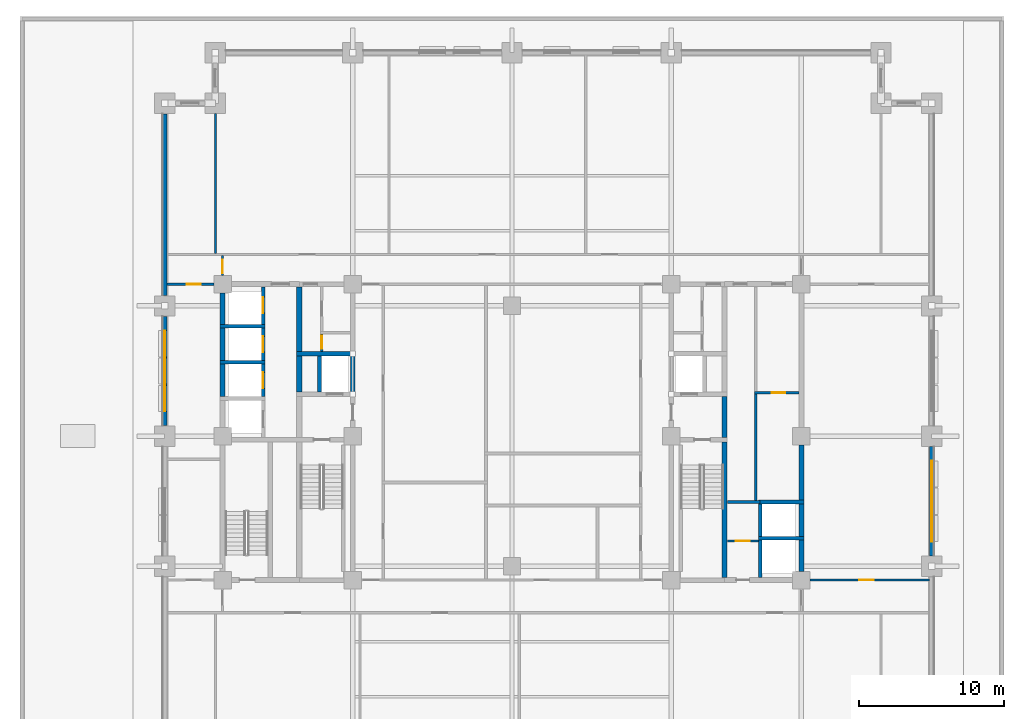
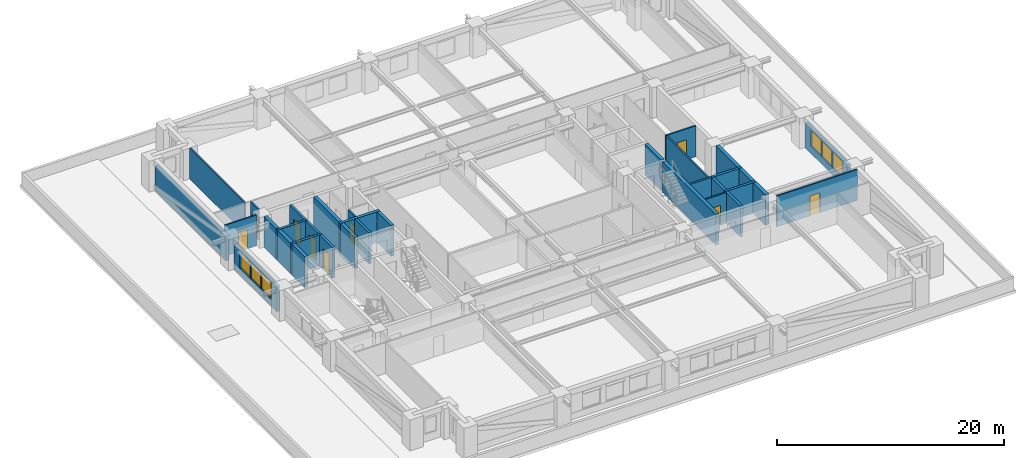
# One storey, part 5 of 12: 34 walls, 9 doors, 6 windows, 15 openings.
"""IFC4 building model written with IfcOpenShell, lengths in metres."""

import ifcopenshell
import ifcopenshell.guid

model = None  # the IFC model being written
_history = None  # IfcOwnerHistory: only IFC2X3 demands one
_inside = {}  # id of a spatial element -> (the spatial element, [elements in it])
_under = {}  # id of a project, library or spatial element -> (it, [spatial elements below it])
_declared = {}  # id of a project -> (the project, [libraries it declares])
_typed = {}  # id of a type object -> (the type object, [elements of that type])
_made_of = {}  # id of a material, layer set ... -> (it, [elements and type objects made of it])


def new_model(schema):
    """Start an empty IFC model of exactly this schema.

    Asked for "IFC4X3", IfcOpenShell would pick the latest addendum, in which some entities
    have other attributes; the version numbers below select the first issue.
    IFC2X3 requires an IfcOwnerHistory on every rooted entity: one is made here for all.
    """
    global model, _history
    if schema == "IFC4X3":
        model = ifcopenshell.file(schema_version=(4, 3, 0, 0))
    else:
        model = ifcopenshell.file(schema=schema)
    _inside.clear()
    _under.clear()
    _declared.clear()
    _typed.clear()
    _made_of.clear()
    _history = None
    if model.schema == "IFC2X3":
        org = make("IfcOrganization", Name="unknown")
        user = make(
            "IfcPersonAndOrganization",
            ThePerson=make("IfcPerson", FamilyName="unknown"),
            TheOrganization=org,
        )
        app = make(
            "IfcApplication",
            ApplicationDeveloper=org,
            Version="unknown",
            ApplicationFullName="unknown",
            ApplicationIdentifier="unknown",
        )
        _history = make(
            "IfcOwnerHistory",
            OwningUser=user,
            OwningApplication=app,
            ChangeAction="ADDED",
            CreationDate=0,
        )
    return model


def make(cls, **values):
    """One entity of the class cls with the attributes given. An attribute that is None is left unset."""
    return model.create_entity(
        cls, **{name: value for name, value in values.items() if value is not None}
    )


def rooted(cls, **values):
    """An entity with a GlobalId (a new one), such as an element, a storey or a relation."""
    return make(cls, GlobalId=ifcopenshell.guid.new(), OwnerHistory=_history, **values)


def si_unit(unit_type, name, prefix=None):
    """IfcSIUnit, for example si_unit("LENGTHUNIT", "METRE", prefix="MILLI")."""
    return make("IfcSIUnit", UnitType=unit_type, Prefix=prefix, Name=name)


def assignment(units):
    """IfcUnitAssignment: the units of a project."""
    return None if units is None else make("IfcUnitAssignment", Units=units)


def point(xyz):
    """IfcCartesianPoint."""
    return None if xyz is None else make("IfcCartesianPoint", Coordinates=xyz)


def direction(xyz):
    """IfcDirection."""
    return None if xyz is None else make("IfcDirection", DirectionRatios=xyz)


def frame(location, z_axis=None, x_axis=None):
    """IfcAxis2Placement3D, a coordinate frame: its origin and axes. An axis left out is left unset."""
    return make(
        "IfcAxis2Placement3D",
        Location=point(location),
        Axis=direction(z_axis),
        RefDirection=direction(x_axis),
    )


def frame_2d(location, x_axis=None):
    """IfcAxis2Placement2D, a coordinate frame in the plane: its origin and x axis."""
    return make(
        "IfcAxis2Placement2D", Location=point(location), RefDirection=direction(x_axis)
    )


def origin():
    """The frame at (0, 0, 0) with its axes left unset."""
    return frame((0.0, 0.0, 0.0))


def place(relative_to, where):
    """IfcLocalPlacement: puts the frame where relative to a parent placement (None: the world)."""
    return make(
        "IfcLocalPlacement", PlacementRelTo=relative_to, RelativePlacement=where
    )


def context(
    kind, dimensions, precision=None, world=None, true_north=None, identifier=None
):
    """IfcGeometricRepresentationContext, for example the 3D "Model" context."""
    return make(
        "IfcGeometricRepresentationContext",
        ContextIdentifier=identifier,
        ContextType=kind,
        CoordinateSpaceDimension=dimensions,
        Precision=precision,
        WorldCoordinateSystem=world,
        TrueNorth=true_north,
    )


def subcontext(parent, identifier, kind, view, scale=None):
    """IfcGeometricRepresentationSubContext, for example "Body" below "Model"."""
    return make(
        "IfcGeometricRepresentationSubContext",
        ContextIdentifier=identifier,
        ContextType=kind,
        ParentContext=parent,
        TargetScale=scale,
        TargetView=view,
    )


def project(units=None, contexts=None):
    """IfcProject with its units and contexts."""
    return rooted(
        "IfcProject",
        Name="project",
        RepresentationContexts=contexts,
        UnitsInContext=assignment(units),
    )


def spatial(cls, under=None, at=None, **own):
    """A site, building, storey or space (cls), placed at a placement, below another one or the project."""
    s = rooted(cls, ObjectPlacement=at, **own)
    if under is not None:
        _under.setdefault(under.id(), (under, []))[1].append(s)
    return s


def profile(cls, at=None, kind="AREA", **sizes):
    """A parametric profile (cls). Its sizes go by their IFC names, for example OverallWidth=200.0."""
    return make(cls, ProfileType=kind, Position=at, **sizes)


def rectangle(**sizes):
    """IfcRectangleProfileDef."""
    return profile("IfcRectangleProfileDef", **sizes)


def extrude(swept, where, along, depth):
    """IfcExtrudedAreaSolid: the profile swept, set in the frame where, extruded along a direction by depth."""
    return make(
        "IfcExtrudedAreaSolid",
        SweptArea=swept,
        Position=where,
        ExtrudedDirection=direction(along),
        Depth=depth,
    )


def shape(context_of_items, identifier, shape_type, items):
    """IfcShapeRepresentation: the items that make up one representation, for example the "Body"."""
    return make(
        "IfcShapeRepresentation",
        ContextOfItems=context_of_items,
        RepresentationIdentifier=identifier,
        RepresentationType=shape_type,
        Items=items,
    )


def material(Name=None, Category=None):
    """IfcMaterial."""
    return make("IfcMaterial", Name=Name, Category=Category)


def layer(
    of_material, thickness, ventilated=None, Name=None, Category=None, Priority=None
):
    """IfcMaterialLayer: one layer of a wall or slab, of a material (None: an air gap)."""
    return make(
        "IfcMaterialLayer",
        Material=of_material,
        LayerThickness=thickness,
        IsVentilated=ventilated,
        Name=Name,
        Category=Category,
        Priority=Priority,
    )


def layer_set(layers, Name=None):
    """IfcMaterialLayerSet."""
    return make("IfcMaterialLayerSet", MaterialLayers=layers, LayerSetName=Name)


def made_of(thing, what):
    """Note that an element or type object is made of a material, layer set ...; save() writes the relation."""
    if what is not None:
        _made_of.setdefault(what.id(), (what, []))[1].append(thing)
    return thing


def type_object(cls, material=None, **own):
    """A type object (cls), such as IfcWallType, which elements share."""
    return made_of(rooted(cls, **own), material)


def element(
    cls,
    number,
    at=None,
    inside=None,
    cuts=None,
    type_object=None,
    material=None,
    context=None,
    identifier="Body",
    shape_type=None,
    held_by="IfcProductDefinitionShape",
    body=None,
    shapes=None,
    **own,
):
    """One element of the class cls, such as IfcWall. Its Tag is "e" and its number.

    at: its placement. inside: the storey or other place that contains it. cuts: it is an
    opening in that element (IfcRelVoidsElement). A single representation is given by context,
    identifier, shape_type and body (its items); several are given by shapes. held_by: the class
    of the entity that holds the representations. save() writes the other relations.
    """
    e = rooted(cls, Tag="e%d" % number, ObjectPlacement=at, **own)
    if body is not None:
        shapes = [shape(context, identifier, shape_type, body)]
    if shapes is not None:
        e.Representation = make(held_by, Representations=shapes)
    if inside is not None:
        _inside.setdefault(inside.id(), (inside, []))[1].append(e)
    if cuts is not None:
        rooted(
            "IfcRelVoidsElement", RelatingBuildingElement=cuts, RelatedOpeningElement=e
        )
    if type_object is not None:
        _typed.setdefault(type_object.id(), (type_object, []))[1].append(e)
    return made_of(e, material)


def fill(opening, filler):
    """IfcRelFillsElement: the door or window that sits in an opening."""
    return rooted(
        "IfcRelFillsElement",
        RelatingOpeningElement=opening,
        RelatedBuildingElement=filler,
    )


def aggregate(whole, parts):
    """IfcRelAggregates: a whole, such as a stair, and the parts it consists of."""
    return rooted("IfcRelAggregates", RelatingObject=whole, RelatedObjects=parts)


def save(model, path):
    """Write the relations noted so far, then the file.

    IfcRelAggregates (storeys below a building ...), IfcRelContainedInSpatialStructure (elements
    in a storey), IfcRelDefinesByType, IfcRelAssociatesMaterial and IfcRelDeclares: one each for
    every whole, place, type object, material and project.
    """
    for whole, parts in _under.values():
        aggregate(whole, parts)
    for where, things in _inside.values():
        rooted(
            "IfcRelContainedInSpatialStructure",
            RelatedElements=things,
            RelatingStructure=where,
        )
    for kind, things in _typed.values():
        rooted("IfcRelDefinesByType", RelatedObjects=things, RelatingType=kind)
    for what, things in _made_of.values():
        rooted("IfcRelAssociatesMaterial", RelatedObjects=things, RelatingMaterial=what)
    for by, libraries in _declared.values():
        rooted("IfcRelDeclares", RelatingContext=by, RelatedDefinitions=libraries)
    model.write(path)


model = new_model("IFC4")

# Units and contexts
model_context = context("Model", 3, precision=1e-05, world=origin(), true_north=direction((0.0, 1.0)))
body_context = subcontext(model_context, "Body", "Model", "MODEL_VIEW")
ifc_project = project(units=[si_unit("LENGTHUNIT", "METRE"), si_unit("AREAUNIT", "SQUARE_METRE"), si_unit("VOLUMEUNIT", "CUBIC_METRE"), si_unit("PLANEANGLEUNIT", "RADIAN"), si_unit("MASSUNIT", "GRAM", prefix="KILO")], contexts=[model_context])

# Site, building, storey
site_placement = place(None, origin())
site = spatial("IfcSite", under=ifc_project, at=site_placement, CompositionType="ELEMENT")
building_placement = place(site_placement, origin())
building = spatial("IfcBuilding", under=site, at=building_placement, Name="Zulmaris Gate Convention Tower", CompositionType="ELEMENT")
storey_placement = place(building_placement, frame((0.0, 0.0, 27.199951171875)))
storey = spatial("IfcBuildingStorey", under=building, at=storey_placement, Name="L05", CompositionType="ELEMENT", Elevation=27.199951171875)

# Walls
ifc_material_1 = material(Name="Concrete C50/60", Category="concrete")
ifc_layer_1 = layer(ifc_material_1, 0.25, Name="Concrete C50/60")
ifc_layer_set_1 = layer_set([ifc_layer_1], Name="Concrete C50/60")
wall_type_1 = type_object("IfcWallType", Name="CORE-250", PredefinedType="SOLIDWALL", material=ifc_layer_set_1)
for number, where, z_axis, x_axis, name in (
    (1, (17.02490234375, -7.050048828125, 0.0), (0.0, 0.0, 1.0), (1.0, 0.0, 0.0), "WL-L05-005"),
    (2, (17.02490234375, -4.550048828125, 0.0), (0.0, 0.0, 1.0), (1.0, 0.0, 0.0), "WL-L05-006"),
):
    element("IfcWall", number, at=place(storey_placement, frame(where, z_axis=z_axis, x_axis=x_axis)), inside=storey, type_object=wall_type_1, Name=name, PredefinedType="SOLIDWALL", context=body_context, shape_type="SweptSolid", body=[
        extrude(rectangle(XDim=3.150146484375, YDim=0.25, at=frame_2d((1.5751953125, 0.0))), origin(), (0.0, 0.0, 1.0), 3.320068359375),
    ])
for number, where, z_axis, x_axis, name in (
    (3, (-20.175048828125, 5.10009765625, 0.0), (0.0, 0.0, 1.0), (1.0, 0.0, 0.0), "WL-L05-012"),
    (4, (-20.175048828125, 7.60009765625, 0.0), (0.0, 0.0, 1.0), (1.0, 0.0, 0.0), "WL-L05-015"),
):
    element("IfcWall", number, at=place(storey_placement, frame(where, z_axis=z_axis, x_axis=x_axis)), inside=storey, type_object=wall_type_1, Name=name, PredefinedType="SOLIDWALL", context=body_context, shape_type="SweptSolid", body=[
        extrude(rectangle(XDim=3.10009765625, YDim=0.25, at=frame_2d((1.550048828125, 0.0))), origin(), (0.0, 0.0, 1.0), 3.320068359375),
    ])

# Wall, opening, door
wall_1_placement = place(storey_placement, frame((-17.199951171875, 2.72705078125, 0.0), z_axis=(0.0, 0.0, 1.0), x_axis=(0.0, 1.0, 0.0)))
wall_1 = element("IfcWall", 5, at=wall_1_placement, inside=storey, type_object=wall_type_1, Name="WL-L05-043", PredefinedType="SOLIDWALL", context=body_context, shape_type="SweptSolid", body=[
    extrude(rectangle(XDim=2.245849609375, YDim=0.25, at=frame_2d((1.123046875, 0.0))), origin(), (0.0, 0.0, 1.0), 3.320068359375),
])
opening_1_placement = place(wall_1_placement, frame((0.572998046875, 0.0, 0.0)))
opening_1 = element("IfcOpeningElement", 6, at=opening_1_placement, cuts=wall_1, Name="Opening D-06", PredefinedType="OPENING", context=body_context, shape_type="SweptSolid", body=[
    extrude(rectangle(XDim=1.10009765625, YDim=2.199951171875, at=frame_2d((0.550048828125, 1.10009765625))), frame((0.0, 0.135009765625, 0.0), z_axis=(0.0, -1.0, 0.0), x_axis=(1.0, 0.0, 0.0)), (0.0, 0.0, 1.0), 0.27001953125),
])
ifc_material_2 = material(Name="Brushed Stainless Steel", Category="steel")
door_type_1 = type_object("IfcDoorType", Name="LD-1100", OperationType="NOTDEFINED", PredefinedType="DOOR", material=ifc_material_2)
door_1_placement = place(opening_1_placement, origin())
door_1 = element("IfcDoor", 7, at=door_1_placement, inside=storey, type_object=door_type_1, Name="L05 Lift Landing Door LP-02 16", OperationType="SLIDING_TO_LEFT", OverallHeight=2.199951171875, OverallWidth=1.10009765625, PredefinedType="DOOR", context=body_context, shape_type="SweptSolid", body=[
    extrude(rectangle(XDim=1.10009765625, YDim=2.199951171875, at=frame_2d((0.550048828125, 1.10009765625))), frame((0.0, 0.02490234375, 0.0), z_axis=(0.0, -1.0, 0.0), x_axis=(1.0, 0.0, 0.0)), (0.0, 0.0, 1.0), 0.050048828125),
])
fill(opening_1, door_1)

wall_2_placement = place(storey_placement, frame((-17.199951171875, 5.22705078125, 0.0), z_axis=(0.0, 0.0, 1.0), x_axis=(0.0, 1.0, 0.0)))
wall_2 = element("IfcWall", 8, at=wall_2_placement, inside=storey, type_object=wall_type_1, Name="WL-L05-044", PredefinedType="SOLIDWALL", context=body_context, shape_type="SweptSolid", body=[
    extrude(rectangle(XDim=2.245849609375, YDim=0.25, at=frame_2d((1.123046875, 0.0))), origin(), (0.0, 0.0, 1.0), 3.320068359375),
])
opening_2_placement = place(wall_2_placement, frame((0.572998046875, 0.0, 0.0)))
opening_2 = element("IfcOpeningElement", 9, at=opening_2_placement, cuts=wall_2, Name="Opening D-06", PredefinedType="OPENING", context=body_context, shape_type="SweptSolid", body=[
    extrude(rectangle(XDim=1.10009765625, YDim=2.199951171875, at=frame_2d((0.550048828125, 1.10009765625))), frame((0.0, 0.135009765625, 0.0), z_axis=(0.0, -1.0, 0.0), x_axis=(1.0, 0.0, 0.0)), (0.0, 0.0, 1.0), 0.27001953125),
])
door_2_placement = place(opening_2_placement, origin())
door_2 = element("IfcDoor", 10, at=door_2_placement, inside=storey, type_object=door_type_1, Name="L05 Lift Landing Door LP-03 17", OperationType="SLIDING_TO_LEFT", OverallHeight=2.199951171875, OverallWidth=1.10009765625, PredefinedType="DOOR", context=body_context, shape_type="SweptSolid", body=[
    extrude(rectangle(XDim=1.10009765625, YDim=2.199951171875, at=frame_2d((0.550048828125, 1.10009765625))), frame((0.0, 0.02490234375, 0.0), z_axis=(0.0, -1.0, 0.0), x_axis=(1.0, 0.0, 0.0)), (0.0, 0.0, 1.0), 0.050048828125),
])
fill(opening_2, door_2)

wall_3_placement = place(storey_placement, frame((-17.199951171875, 7.72705078125, 0.0), z_axis=(0.0, 0.0, 1.0), x_axis=(0.0, 1.0, 0.0)))
wall_3 = element("IfcWall", 11, at=wall_3_placement, inside=storey, type_object=wall_type_1, Name="WL-L05-045", PredefinedType="SOLIDWALL", context=body_context, shape_type="SweptSolid", body=[
    extrude(rectangle(XDim=2.595947265625, YDim=0.25, at=frame_2d((1.2978515625, 0.0))), origin(), (0.0, 0.0, 1.0), 3.320068359375),
])
opening_3_placement = place(wall_3_placement, frame((0.77294921875, 0.0, 0.0)))
opening_3 = element("IfcOpeningElement", 12, at=opening_3_placement, cuts=wall_3, Name="Opening D-06", PredefinedType="OPENING", context=body_context, shape_type="SweptSolid", body=[
    extrude(rectangle(XDim=1.10009765625, YDim=2.199951171875, at=frame_2d((0.550048828125, 1.10009765625))), frame((0.0, 0.135009765625, 0.0), z_axis=(0.0, -1.0, 0.0), x_axis=(1.0, 0.0, 0.0)), (0.0, 0.0, 1.0), 0.27001953125),
])
door_3_placement = place(opening_3_placement, origin())
door_3 = element("IfcDoor", 13, at=door_3_placement, inside=storey, type_object=door_type_1, Name="L05 Lift Landing Door LP-04 18", OperationType="SLIDING_TO_LEFT", OverallHeight=2.199951171875, OverallWidth=1.10009765625, PredefinedType="DOOR", context=body_context, shape_type="SweptSolid", body=[
    extrude(rectangle(XDim=1.10009765625, YDim=2.199951171875, at=frame_2d((0.550048828125, 1.10009765625))), frame((0.0, 0.02490234375, 0.0), z_axis=(0.0, -1.0, 0.0), x_axis=(1.0, 0.0, 0.0)), (0.0, 0.0, 1.0), 0.050048828125),
])
fill(opening_3, door_3)

# Walls
wall_4_placement = place(storey_placement, frame((-13.300048828125, 3.052001953125, 0.0), z_axis=(0.0, 0.0, 1.0), x_axis=(0.0, 1.0, 0.0)))
element("IfcWall", 14, at=wall_4_placement, inside=storey, type_object=wall_type_1, Name="WL-L05-051", PredefinedType="SOLIDWALL", context=body_context, shape_type="SweptSolid", body=[
    extrude(rectangle(XDim=2.49609375, YDim=0.25, at=frame_2d((1.248046875, 0.0))), origin(), (0.0, 0.0, 1.0), 3.320068359375),
])
wall_5_placement = place(storey_placement, frame((17.14990234375, -9.77294921875, 0.0), z_axis=(0.0, 0.0, 1.0), x_axis=(0.0, 1.0, 0.0)))
element("IfcWall", 15, at=wall_5_placement, inside=storey, type_object=wall_type_1, Name="WL-L05-067", PredefinedType="SOLIDWALL", context=body_context, shape_type="SweptSolid", body=[
    extrude(rectangle(XDim=2.595947265625, YDim=0.25, at=frame_2d((1.2978515625, 0.0))), origin(), (0.0, 0.0, 1.0), 3.320068359375),
])
wall_6_placement = place(storey_placement, frame((17.14990234375, -6.923095703125, 0.0), z_axis=(0.0, 0.0, 1.0), x_axis=(0.0, 1.0, 0.0)))
element("IfcWall", 16, at=wall_6_placement, inside=storey, type_object=wall_type_1, Name="WL-L05-068", PredefinedType="SOLIDWALL", context=body_context, shape_type="SweptSolid", body=[
    extrude(rectangle(XDim=2.24609375, YDim=0.25, at=frame_2d((1.123046875, 0.0))), origin(), (0.0, 0.0, 1.0), 3.320068359375),
])
ifc_layer_2 = layer(ifc_material_1, 0.300048828125, Name="Concrete C50/60")
ifc_layer_set_2 = layer_set([ifc_layer_2], Name="Concrete C50/60")
wall_type_2 = type_object("IfcWallType", Name="CORE-300", PredefinedType="SHEAR", material=ifc_layer_set_2)
wall_7_placement = place(storey_placement, frame((-14.875, 5.699951171875, 0.0), z_axis=(0.0, 0.0, 1.0), x_axis=(1.0, 0.0, 0.0)))
element("IfcWall", 17, at=wall_7_placement, inside=storey, type_object=wall_type_2, Name="WL-L05-013", PredefinedType="SHEAR", context=body_context, shape_type="SweptSolid", body=[
    extrude(rectangle(XDim=4.02490234375, YDim=0.300048828125, at=frame_2d((2.012451171875, 0.0))), origin(), (0.0, 0.0, 1.0), 3.320068359375),
])
wall_8_placement = place(storey_placement, frame((-11.0, 3.052001953125, 0.0), z_axis=(0.0, 0.0, 1.0), x_axis=(0.0, 1.0, 0.0)))
element("IfcWall", 18, at=wall_8_placement, inside=storey, type_object=wall_type_2, Name="WL-L05-055", PredefinedType="SHEAR", context=body_context, shape_type="SweptSolid", body=[
    extrude(rectangle(XDim=2.49609375, YDim=0.300048828125, at=frame_2d((1.248046875, 0.0))), origin(), (0.0, 0.0, 1.0), 3.320068359375),
])
ifc_material_3 = material(Name="Concrete C55/67", Category="concrete")
ifc_layer_3 = layer(ifc_material_3, 0.35009765625, Name="Concrete C55/67")
ifc_layer_set_3 = layer_set([ifc_layer_3], Name="Concrete C55/67")
wall_type_3 = type_object("IfcWallType", Name="CORE-350", PredefinedType="SHEAR", material=ifc_layer_set_3)
for number, where, z_axis, x_axis, name in (
    (19, (-20.0, 2.72705078125, 0.0), (0.0, 0.0, 1.0), (0.0, 1.0, 0.0), "WL-L05-039"),
    (20, (-20.0, 5.22705078125, 0.0), (0.0, 0.0, 1.0), (0.0, 1.0, 0.0), "WL-L05-040"),
):
    element("IfcWall", number, at=place(storey_placement, frame(where, z_axis=z_axis, x_axis=x_axis)), inside=storey, type_object=wall_type_3, Name=name, PredefinedType="SHEAR", context=body_context, shape_type="SweptSolid", body=[
        extrude(rectangle(XDim=2.245849609375, YDim=0.35009765625, at=frame_2d((1.123046875, 0.0))), origin(), (0.0, 0.0, 1.0), 3.320068359375),
    ])
wall_9_placement = place(storey_placement, frame((-20.0, 7.72705078125, 0.0), z_axis=(0.0, 0.0, 1.0), x_axis=(0.0, 1.0, 0.0)))
element("IfcWall", 21, at=wall_9_placement, inside=storey, type_object=wall_type_3, Name="WL-L05-041", PredefinedType="SHEAR", context=body_context, shape_type="SweptSolid", body=[
    extrude(rectangle(XDim=2.1689453125, YDim=0.35009765625, at=frame_2d((1.08447265625, 0.0))), origin(), (0.0, 0.0, 1.0), 3.320068359375),
])
wall_10_placement = place(storey_placement, frame((-14.699951171875, 3.052001953125, 0.0), z_axis=(0.0, 0.0, 1.0), x_axis=(0.0, 1.0, 0.0)))
element("IfcWall", 22, at=wall_10_placement, inside=storey, type_object=wall_type_3, Name="WL-L05-049", PredefinedType="SHEAR", context=body_context, shape_type="SweptSolid", body=[
    extrude(rectangle(XDim=2.49609375, YDim=0.35009765625, at=frame_2d((1.248046875, 0.0))), origin(), (0.0, 0.0, 1.0), 3.320068359375),
])
wall_11_placement = place(storey_placement, frame((-14.699951171875, 5.85205078125, 0.0), z_axis=(0.0, 0.0, 1.0), x_axis=(0.0, 1.0, 0.0)))
element("IfcWall", 23, at=wall_11_placement, inside=storey, type_object=wall_type_3, Name="WL-L05-050", PredefinedType="SHEAR", context=body_context, shape_type="SweptSolid", body=[
    extrude(rectangle(XDim=4.470947265625, YDim=0.35009765625, at=frame_2d((2.2353515625, 0.0))), origin(), (0.0, 0.0, 1.0), 3.320068359375),
])
wall_12_placement = place(storey_placement, frame((14.699951171875, -9.77294921875, 0.0), z_axis=(0.0, 0.0, 1.0), x_axis=(0.0, 1.0, 0.0)))
element("IfcWall", 24, at=wall_12_placement, inside=storey, type_object=wall_type_3, Name="WL-L05-063", PredefinedType="SHEAR", context=body_context, shape_type="SweptSolid", body=[
    extrude(rectangle(XDim=9.370849609375, YDim=0.35009765625, at=frame_2d((4.685546875, 0.0))), origin(), (0.0, 0.0, 1.0), 3.320068359375),
])
wall_13_placement = place(storey_placement, frame((14.699951171875, -0.097900390625, 0.0), z_axis=(0.0, 0.0, 1.0), x_axis=(0.0, 1.0, 0.0)))
element("IfcWall", 25, at=wall_13_placement, inside=storey, type_object=wall_type_3, Name="WL-L05-064", PredefinedType="SHEAR", context=body_context, shape_type="SweptSolid", body=[
    extrude(rectangle(XDim=2.845947265625, YDim=0.35009765625, at=frame_2d((1.4228515625, 0.0))), origin(), (0.0, 0.0, 1.0), 3.320068359375),
])
wall_14_placement = place(storey_placement, frame((20.0, -9.345947265625, 0.0), z_axis=(0.0, 0.0, 1.0), x_axis=(0.0, 1.0, 0.0)))
element("IfcWall", 26, at=wall_14_placement, inside=storey, type_object=wall_type_3, Name="WL-L05-069", PredefinedType="SHEAR", context=body_context, shape_type="SweptSolid", body=[
    extrude(rectangle(XDim=2.1689453125, YDim=0.35009765625, at=frame_2d((1.08447265625, 0.0))), origin(), (0.0, 0.0, 1.0), 3.320068359375),
])
wall_15_placement = place(storey_placement, frame((20.0, -6.923095703125, 0.0), z_axis=(0.0, 0.0, 1.0), x_axis=(0.0, 1.0, 0.0)))
element("IfcWall", 27, at=wall_15_placement, inside=storey, type_object=wall_type_3, Name="WL-L05-070", PredefinedType="SHEAR", context=body_context, shape_type="SweptSolid", body=[
    extrude(rectangle(XDim=2.24609375, YDim=0.35009765625, at=frame_2d((1.123046875, 0.0))), origin(), (0.0, 0.0, 1.0), 3.320068359375),
])
wall_16_placement = place(storey_placement, frame((20.0, -4.423095703125, 0.0), z_axis=(0.0, 0.0, 1.0), x_axis=(0.0, 1.0, 0.0)))
element("IfcWall", 28, at=wall_16_placement, inside=storey, type_object=wall_type_3, Name="WL-L05-071", PredefinedType="SHEAR", context=body_context, shape_type="SweptSolid", body=[
    extrude(rectangle(XDim=3.819091796875, YDim=0.35009765625, at=frame_2d((1.90966796875, 0.0))), origin(), (0.0, 0.0, 1.0), 3.320068359375),
])

# Wall, opening, door
ifc_material_4 = material(Name="Gypsum Metal Stud Partition")
ifc_layer_4 = layer(ifc_material_4, 0.14990234375, Name="Gypsum Metal Stud Partition")
ifc_layer_set_4 = layer_set([ifc_layer_4], Name="Gypsum Metal Stud Partition")
wall_type_4 = type_object("IfcWallType", Name="PART-150", PredefinedType="PARTITIONING", material=ifc_layer_set_4)
wall_17_placement = place(storey_placement, frame((20.60595703125, -9.949951171875, 0.0), z_axis=(0.0, 0.0, 1.0), x_axis=(1.0, 0.0, 0.0)))
wall_17 = element("IfcWall", 29, at=wall_17_placement, inside=storey, type_object=wall_type_4, Name="WL-L05-023", PredefinedType="PARTITIONING", context=body_context, shape_type="SweptSolid", body=[
    extrude(rectangle(XDim=8.22900390625, YDim=0.14990234375, at=frame_2d((4.114501953125, 0.0))), origin(), (0.0, 0.0, 1.0), 3.320068359375),
])
opening_4_placement = place(wall_17_placement, frame((3.39404296875, 0.0, 0.0)))
opening_4 = element("IfcOpeningElement", 30, at=opening_4_placement, cuts=wall_17, Name="Opening D-10", PredefinedType="OPENING", context=body_context, shape_type="SweptSolid", body=[
    extrude(rectangle(XDim=1.0, YDim=2.14990234375, at=frame_2d((0.5, 1.074951171875))), frame((0.0, 0.0849609375, 0.0), z_axis=(0.0, -1.0, 0.0), x_axis=(1.0, 0.0, 0.0)), (0.0, 0.0, 1.0), 0.169921875),
])
ifc_material_5 = material(Name="Fire-Rated Timber", Category="wood")
door_type_2 = type_object("IfcDoorType", Name="DR-1000-FD", OperationType="NOTDEFINED", PredefinedType="DOOR", material=ifc_material_5)
door_4_placement = place(opening_4_placement, origin())
door_4 = element("IfcDoor", 31, at=door_4_placement, inside=storey, type_object=door_type_2, Name="L05 East Workplace South Door 47", OperationType="SINGLE_SWING_LEFT", OverallHeight=2.14990234375, OverallWidth=1.0, PredefinedType="DOOR", context=body_context, shape_type="SweptSolid", body=[
    extrude(rectangle(XDim=1.0, YDim=2.14990234375, at=frame_2d((0.5, 1.074951171875))), frame((0.0, 0.02490234375, 0.0), z_axis=(0.0, -1.0, 0.0), x_axis=(1.0, 0.0, 0.0)), (0.0, 0.0, 1.0), 0.050048828125),
])
fill(opening_4, door_4)

wall_18_placement = place(storey_placement, frame((14.8779296875, -7.25, 0.0), z_axis=(0.0, 0.0, 1.0), x_axis=(1.0, 0.0, 0.0)))
wall_18 = element("IfcWall", 32, at=wall_18_placement, inside=storey, type_object=wall_type_4, Name="WL-L05-024", PredefinedType="PARTITIONING", context=body_context, shape_type="SweptSolid", body=[
    extrude(rectangle(XDim=2.14404296875, YDim=0.14990234375, at=frame_2d((1.072021484375, 0.0))), origin(), (0.0, 0.0, 1.0), 3.320068359375),
])
opening_5_placement = place(wall_18_placement, frame((0.596923828125, 0.0, 0.0)))
opening_5 = element("IfcOpeningElement", 33, at=opening_5_placement, cuts=wall_18, Name="Opening D-11", PredefinedType="OPENING", context=body_context, shape_type="SweptSolid", body=[
    extrude(rectangle(XDim=0.949951171875, YDim=2.14990234375, at=frame_2d((0.47509765625, 1.074951171875))), frame((0.0, 0.0849609375, 0.0), z_axis=(0.0, -1.0, 0.0), x_axis=(1.0, 0.0, 0.0)), (0.0, 0.0, 1.0), 0.169921875),
])
door_type_3 = type_object("IfcDoorType", Name="DR-950-FD", OperationType="NOTDEFINED", PredefinedType="DOOR", material=ifc_material_5)
door_5_placement = place(opening_5_placement, origin())
door_5 = element("IfcDoor", 34, at=door_5_placement, inside=storey, type_object=door_type_3, Name="L05 East Meter Store Door 20", OperationType="SINGLE_SWING_RIGHT", OverallHeight=2.14990234375, OverallWidth=0.949951171875, PredefinedType="DOOR", context=body_context, shape_type="SweptSolid", body=[
    extrude(rectangle(XDim=0.949951171875, YDim=2.14990234375, at=frame_2d((0.47509765625, 1.074951171875))), frame((0.0, 0.02490234375, 0.0), z_axis=(0.0, -1.0, 0.0), x_axis=(1.0, 0.0, 0.0)), (0.0, 0.0, 1.0), 0.050048828125),
])
fill(opening_5, door_5)

wall_19_placement = place(storey_placement, frame((16.77490234375, 3.0, 0.0), z_axis=(0.0, 0.0, 1.0), x_axis=(1.0, 0.0, 0.0)))
wall_19 = element("IfcWall", 35, at=wall_19_placement, inside=storey, type_object=wall_type_4, Name="WL-L05-030", PredefinedType="PARTITIONING", context=body_context, shape_type="SweptSolid", body=[
    extrude(rectangle(XDim=3.047119140625, YDim=0.14990234375, at=frame_2d((1.5234375, 0.0))), origin(), (0.0, 0.0, 1.0), 3.320068359375),
])
opening_6_placement = place(wall_19_placement, frame((1.169921875, 0.0, 0.0)))
opening_6 = element("IfcOpeningElement", 36, at=opening_6_placement, cuts=wall_19, Name="Opening D-11", PredefinedType="OPENING", context=body_context, shape_type="SweptSolid", body=[
    extrude(rectangle(XDim=0.949951171875, YDim=2.14990234375, at=frame_2d((0.47509765625, 1.074951171875))), frame((0.0, 0.0849609375, 0.0), z_axis=(0.0, -1.0, 0.0), x_axis=(1.0, 0.0, 0.0)), (0.0, 0.0, 1.0), 0.169921875),
])
door_6_placement = place(opening_6_placement, origin())
door_6 = element("IfcDoor", 37, at=door_6_placement, inside=storey, type_object=door_type_3, Name="L05 East Equipment Door 23", OperationType="SINGLE_SWING_LEFT", OverallHeight=2.14990234375, OverallWidth=0.949951171875, PredefinedType="DOOR", context=body_context, shape_type="SweptSolid", body=[
    extrude(rectangle(XDim=0.949951171875, YDim=2.14990234375, at=frame_2d((0.47509765625, 1.074951171875))), frame((0.0, 0.02490234375, 0.0), z_axis=(0.0, -1.0, 0.0), x_axis=(1.0, 0.0, 0.0)), (0.0, 0.0, 1.0), 0.050048828125),
])
fill(opening_6, door_6)

wall_20_placement = place(storey_placement, frame((-23.8349609375, 10.5, 0.0), z_axis=(0.0, 0.0, 1.0), x_axis=(1.0, 0.0, 0.0)))
wall_20 = element("IfcWall", 38, at=wall_20_placement, inside=storey, type_object=wall_type_4, Name="WL-L05-033", PredefinedType="PARTITIONING", context=body_context, shape_type="SweptSolid", body=[
    extrude(rectangle(XDim=3.22900390625, YDim=0.14990234375, at=frame_2d((1.614501953125, 0.0))), origin(), (0.0, 0.0, 1.0), 3.320068359375),
])
opening_7_placement = place(wall_20_placement, frame((1.360107421875, 0.0, 0.0)))
opening_7 = element("IfcOpeningElement", 39, at=opening_7_placement, cuts=wall_20, Name="Opening D-11", PredefinedType="OPENING", context=body_context, shape_type="SweptSolid", body=[
    extrude(rectangle(XDim=0.949951171875, YDim=2.14990234375, at=frame_2d((0.47509765625, 1.074951171875))), frame((0.0, 0.0849609375, 0.0), z_axis=(0.0, -1.0, 0.0), x_axis=(1.0, 0.0, 0.0)), (0.0, 0.0, 1.0), 0.169921875),
])
door_7_placement = place(opening_7_placement, origin())
door_7 = element("IfcDoor", 40, at=door_7_placement, inside=storey, type_object=door_type_3, Name="L05 NW Partner Door 42", OperationType="SINGLE_SWING_RIGHT", OverallHeight=2.14990234375, OverallWidth=0.949951171875, PredefinedType="DOOR", context=body_context, shape_type="SweptSolid", body=[
    extrude(rectangle(XDim=0.949951171875, YDim=2.14990234375, at=frame_2d((0.47509765625, 1.074951171875))), frame((0.0, 0.02490234375, 0.0), z_axis=(0.0, -1.0, 0.0), x_axis=(1.0, 0.0, 0.0)), (0.0, 0.0, 1.0), 0.050048828125),
])
fill(opening_7, door_7)

# Wall
wall_21_placement = place(storey_placement, frame((-20.5, 12.6279296875, 0.0), z_axis=(0.0, 0.0, 1.0), x_axis=(0.0, 1.0, 0.0)))
element("IfcWall", 41, at=wall_21_placement, inside=storey, type_object=wall_type_4, Name="WL-L05-073", PredefinedType="PARTITIONING", context=body_context, shape_type="SweptSolid", body=[
    extrude(rectangle(XDim=9.666015625, YDim=0.14990234375, at=frame_2d((4.8330078125, 0.0))), origin(), (0.0, 0.0, 1.0), 3.320068359375),
])

# Wall, opening, door
wall_22_placement = place(storey_placement, frame((-20.0, 11.10595703125, 0.0), z_axis=(0.0, 0.0, 1.0), x_axis=(0.0, 1.0, 0.0)))
wall_22 = element("IfcWall", 42, at=wall_22_placement, inside=storey, type_object=wall_type_4, Name="WL-L05-075", PredefinedType="PARTITIONING", context=body_context, shape_type="SweptSolid", body=[
    extrude(rectangle(XDim=1.365966796875, YDim=0.14990234375, at=frame_2d((0.68310546875, 0.0))), origin(), (0.0, 0.0, 1.0), 3.320068359375),
])
opening_8_placement = place(wall_22_placement, frame((0.14990234375, 0.0, 0.0)))
opening_8 = element("IfcOpeningElement", 43, at=opening_8_placement, cuts=wall_22, Name="Opening D-11", PredefinedType="OPENING", context=body_context, shape_type="SweptSolid", body=[
    extrude(rectangle(XDim=0.949951171875, YDim=2.14990234375, at=frame_2d((0.47509765625, 1.074951171875))), frame((0.0, 0.0849609375, 0.0), z_axis=(0.0, -1.0, 0.0), x_axis=(1.0, 0.0, 0.0)), (0.0, 0.0, 1.0), 0.169921875),
])
door_8_placement = place(opening_8_placement, origin())
door_8 = element("IfcDoor", 44, at=door_8_placement, inside=storey, type_object=door_type_3, Name="L05 NW Spur Door 40", OperationType="SINGLE_SWING_RIGHT", OverallHeight=2.14990234375, OverallWidth=0.949951171875, PredefinedType="DOOR", context=body_context, shape_type="SweptSolid", body=[
    extrude(rectangle(XDim=0.949951171875, YDim=2.14990234375, at=frame_2d((0.47509765625, 1.074951171875))), frame((0.0, 0.02490234375, 0.0), z_axis=(0.0, -1.0, 0.0), x_axis=(1.0, 0.0, 0.0)), (0.0, 0.0, 1.0), 0.050048828125),
])
fill(opening_8, door_8)

wall_23_placement = place(storey_placement, frame((-13.14990234375, 5.85302734375, 0.0), z_axis=(0.0, 0.0, 1.0), x_axis=(0.0, 1.0, 0.0)))
wall_23 = element("IfcWall", 45, at=wall_23_placement, inside=storey, type_object=wall_type_4, Name="WL-L05-076", PredefinedType="PARTITIONING", context=body_context, shape_type="SweptSolid", body=[
    extrude(rectangle(XDim=1.218994140625, YDim=0.14990234375, at=frame_2d((0.609375, 0.0))), origin(), (0.0, 0.0, 1.0), 3.320068359375),
])
opening_9_placement = place(wall_23_placement, frame((0.1689453125, 0.0, 0.0)))
opening_9 = element("IfcOpeningElement", 46, at=opening_9_placement, cuts=wall_23, Name="Opening D-12", PredefinedType="OPENING", context=body_context, shape_type="SweptSolid", body=[
    extrude(rectangle(XDim=0.89990234375, YDim=2.14990234375, at=frame_2d((0.449951171875, 1.074951171875))), frame((0.0, 0.0849609375, 0.0), z_axis=(0.0, -1.0, 0.0), x_axis=(1.0, 0.0, 0.0)), (0.0, 0.0, 1.0), 0.169921875),
])
door_type_4 = type_object("IfcDoorType", Name="DR-900-FD", OperationType="NOTDEFINED", PredefinedType="DOOR", material=ifc_material_5)
door_9_placement = place(opening_9_placement, origin())
door_9 = element("IfcDoor", 47, at=door_9_placement, inside=storey, type_object=door_type_4, Name="L05 Stationery Closet Door 08", OperationType="SINGLE_SWING_RIGHT", OverallHeight=2.14990234375, OverallWidth=0.89990234375, PredefinedType="DOOR", context=body_context, shape_type="SweptSolid", body=[
    extrude(rectangle(XDim=0.89990234375, YDim=2.14990234375, at=frame_2d((0.449951171875, 1.074951171875))), frame((0.0, 0.02490234375, 0.0), z_axis=(0.0, -1.0, 0.0), x_axis=(1.0, 0.0, 0.0)), (0.0, 0.0, 1.0), 0.050048828125),
])
fill(opening_9, door_9)

# Walls
wall_24_placement = place(storey_placement, frame((16.85009765625, -4.447021484375, 0.0), z_axis=(0.0, 0.0, 1.0), x_axis=(0.0, 1.0, 0.0)))
element("IfcWall", 48, at=wall_24_placement, inside=storey, type_object=wall_type_4, Name="WL-L05-094", PredefinedType="PARTITIONING", context=body_context, shape_type="SweptSolid", body=[
    extrude(rectangle(XDim=7.369140625, YDim=0.14990234375, at=frame_2d((3.6845703125, 0.0))), origin(), (0.0, 0.0, 1.0), 3.320068359375),
])
ifc_material_6 = material(Name="Autoclaved Aerated Concrete Block and Plasterboard", Category="concrete")
ifc_layer_5 = layer(ifc_material_6, 0.199951171875, Name="Autoclaved Aerated Concrete Block and Plasterboard")
ifc_layer_set_5 = layer_set([ifc_layer_5], Name="Autoclaved Aerated Concrete Block and Plasterboard")
wall_type_5 = type_object("IfcWallType", Name="PART-200", PredefinedType="PARTITIONING", material=ifc_layer_set_5)
wall_25_placement = place(storey_placement, frame((14.8779296875, -4.550048828125, 0.0), z_axis=(0.0, 0.0, 1.0), x_axis=(1.0, 0.0, 0.0)))
element("IfcWall", 49, at=wall_25_placement, inside=storey, type_object=wall_type_5, Name="WL-L05-026", PredefinedType="PARTITIONING", context=body_context, shape_type="SweptSolid", body=[
    extrude(rectangle(XDim=2.27197265625, YDim=0.199951171875, at=frame_2d((1.135986328125, 0.0))), origin(), (0.0, 0.0, 1.0), 3.320068359375),
])

# Wall, openings, windows
ifc_material_7 = material(Name="Precast concrete C40/50", Category="concrete")
ifc_layer_6 = layer(ifc_material_7, 0.300048828125, Name="Precast concrete C40/50")
ifc_layer_set_6 = layer_set([ifc_layer_6], Name="Precast concrete C40/50")
wall_type_6 = type_object("IfcWallType", Name="PRECAST-PIER-300", PredefinedType="STANDARD", material=ifc_layer_set_6)
wall_26_placement = place(storey_placement, frame((29.0, -8.27001953125, 0.0), z_axis=(0.0, 0.0, 1.0), x_axis=(0.0, 1.0, 0.0)))
wall_26 = element("IfcWall", 50, at=wall_26_placement, inside=storey, type_object=wall_type_6, Name="EW-L05-E-1_0", PredefinedType="STANDARD", context=body_context, shape_type="SweptSolid", body=[
    extrude(rectangle(XDim=7.5400390625, YDim=0.300048828125, at=frame_2d((3.77001953125, 0.0))), origin(), (0.0, 0.0, 1.0), 2.712158203125),
])
opening_10_placement = place(wall_26_placement, frame((0.985107421875, 0.0, 0.780029296875)))
opening_10 = element("IfcOpeningElement", 51, at=opening_10_placement, cuts=wall_26, Name="Opening W-02", PredefinedType="OPENING", context=body_context, shape_type="SweptSolid", body=[
    extrude(rectangle(XDim=1.800048828125, YDim=1.719970703125, at=frame_2d((0.89990234375, 0.85986328125))), frame((0.0, 0.16015625, 0.0), z_axis=(0.0, -1.0, 0.0), x_axis=(1.0, 0.0, 0.0)), (0.0, 0.0, 1.0), 0.320068359375),
])
opening_11_placement = place(wall_26_placement, frame((2.8701171875, 0.0, 0.780029296875)))
opening_11 = element("IfcOpeningElement", 52, at=opening_11_placement, cuts=wall_26, Name="Opening W-02", PredefinedType="OPENING", context=body_context, shape_type="SweptSolid", body=[
    extrude(rectangle(XDim=1.800048828125, YDim=1.719970703125, at=frame_2d((0.89990234375, 0.85986328125))), frame((0.0, 0.16015625, 0.0), z_axis=(0.0, -1.0, 0.0), x_axis=(1.0, 0.0, 0.0)), (0.0, 0.0, 1.0), 0.320068359375),
])
opening_12_placement = place(wall_26_placement, frame((4.7548828125, 0.0, 0.780029296875)))
opening_12 = element("IfcOpeningElement", 53, at=opening_12_placement, cuts=wall_26, Name="Opening W-02", PredefinedType="OPENING", context=body_context, shape_type="SweptSolid", body=[
    extrude(rectangle(XDim=1.800048828125, YDim=1.719970703125, at=frame_2d((0.89990234375, 0.85986328125))), frame((0.0, 0.16015625, 0.0), z_axis=(0.0, -1.0, 0.0), x_axis=(1.0, 0.0, 0.0)), (0.0, 0.0, 1.0), 0.320068359375),
])
ifc_material_8 = material(Name="Low-E Laminated Double Glazing in Aluminium Frame", Category="aluminium")
window_type = type_object("IfcWindowType", Name="WIN-1800x2200", PartitioningType="SINGLE_PANEL", PredefinedType="WINDOW", material=ifc_material_8)
window_1_placement = place(opening_10_placement, origin())
window_1 = element("IfcWindow", 54, at=window_1_placement, inside=storey, type_object=window_type, Name="WN-EW-L05-E-1_0-1", OverallHeight=1.719970703125, OverallWidth=1.800048828125, PartitioningType="SINGLE_PANEL", PredefinedType="WINDOW", context=body_context, shape_type="SweptSolid", body=[
    extrude(rectangle(XDim=1.800048828125, YDim=1.719970703125, at=frame_2d((0.89990234375, 0.85986328125))), frame((0.0, 0.030029296875, 0.0), z_axis=(0.0, -1.0, 0.0), x_axis=(1.0, 0.0, 0.0)), (0.0, 0.0, 1.0), 0.06005859375),
])
fill(opening_10, window_1)
window_2_placement = place(opening_11_placement, origin())
window_2 = element("IfcWindow", 55, at=window_2_placement, inside=storey, type_object=window_type, Name="WN-EW-L05-E-1_0-2", OverallHeight=1.719970703125, OverallWidth=1.800048828125, PartitioningType="SINGLE_PANEL", PredefinedType="WINDOW", context=body_context, shape_type="SweptSolid", body=[
    extrude(rectangle(XDim=1.800048828125, YDim=1.719970703125, at=frame_2d((0.89990234375, 0.85986328125))), frame((0.0, 0.030029296875, 0.0), z_axis=(0.0, -1.0, 0.0), x_axis=(1.0, 0.0, 0.0)), (0.0, 0.0, 1.0), 0.06005859375),
])
fill(opening_11, window_2)
window_3_placement = place(opening_12_placement, origin())
window_3 = element("IfcWindow", 56, at=window_3_placement, inside=storey, type_object=window_type, Name="WN-EW-L05-E-1_0-3", OverallHeight=1.719970703125, OverallWidth=1.800048828125, PartitioningType="SINGLE_PANEL", PredefinedType="WINDOW", context=body_context, shape_type="SweptSolid", body=[
    extrude(rectangle(XDim=1.800048828125, YDim=1.719970703125, at=frame_2d((0.89990234375, 0.85986328125))), frame((0.0, 0.030029296875, 0.0), z_axis=(0.0, -1.0, 0.0), x_axis=(1.0, 0.0, 0.0)), (0.0, 0.0, 1.0), 0.06005859375),
])
fill(opening_12, window_3)

wall_27_placement = place(storey_placement, frame((-24.0, 8.27001953125, 0.0), z_axis=(0.0, 0.0, 1.0), x_axis=(0.0, -1.0, 0.0)))
wall_27 = element("IfcWall", 57, at=wall_27_placement, inside=storey, type_object=wall_type_6, Name="EW-L05-W-2_0", PredefinedType="STANDARD", context=body_context, shape_type="SweptSolid", body=[
    extrude(rectangle(XDim=7.5400390625, YDim=0.300048828125, at=frame_2d((3.77001953125, 0.0))), origin(), (0.0, 0.0, 1.0), 2.712158203125),
])
opening_13_placement = place(wall_27_placement, frame((0.985107421875, 0.0, 0.780029296875)))
opening_13 = element("IfcOpeningElement", 58, at=opening_13_placement, cuts=wall_27, Name="Opening W-02", PredefinedType="OPENING", context=body_context, shape_type="SweptSolid", body=[
    extrude(rectangle(XDim=1.800048828125, YDim=1.719970703125, at=frame_2d((0.89990234375, 0.85986328125))), frame((0.0, 0.16015625, 0.0), z_axis=(0.0, -1.0, 0.0), x_axis=(1.0, 0.0, 0.0)), (0.0, 0.0, 1.0), 0.320068359375),
])
opening_14_placement = place(wall_27_placement, frame((2.8701171875, 0.0, 0.780029296875)))
opening_14 = element("IfcOpeningElement", 59, at=opening_14_placement, cuts=wall_27, Name="Opening W-02", PredefinedType="OPENING", context=body_context, shape_type="SweptSolid", body=[
    extrude(rectangle(XDim=1.800048828125, YDim=1.719970703125, at=frame_2d((0.89990234375, 0.85986328125))), frame((0.0, 0.16015625, 0.0), z_axis=(0.0, -1.0, 0.0), x_axis=(1.0, 0.0, 0.0)), (0.0, 0.0, 1.0), 0.320068359375),
])
opening_15_placement = place(wall_27_placement, frame((4.7548828125, 0.0, 0.780029296875)))
opening_15 = element("IfcOpeningElement", 60, at=opening_15_placement, cuts=wall_27, Name="Opening W-02", PredefinedType="OPENING", context=body_context, shape_type="SweptSolid", body=[
    extrude(rectangle(XDim=1.800048828125, YDim=1.719970703125, at=frame_2d((0.89990234375, 0.85986328125))), frame((0.0, 0.16015625, 0.0), z_axis=(0.0, -1.0, 0.0), x_axis=(1.0, 0.0, 0.0)), (0.0, 0.0, 1.0), 0.320068359375),
])
window_4_placement = place(opening_13_placement, origin())
window_4 = element("IfcWindow", 61, at=window_4_placement, inside=storey, type_object=window_type, Name="WN-EW-L05-W-2_0-1", OverallHeight=1.719970703125, OverallWidth=1.800048828125, PartitioningType="SINGLE_PANEL", PredefinedType="WINDOW", context=body_context, shape_type="SweptSolid", body=[
    extrude(rectangle(XDim=1.800048828125, YDim=1.719970703125, at=frame_2d((0.89990234375, 0.85986328125))), frame((0.0, 0.030029296875, 0.0), z_axis=(0.0, -1.0, 0.0), x_axis=(1.0, 0.0, 0.0)), (0.0, 0.0, 1.0), 0.06005859375),
])
fill(opening_13, window_4)
window_5_placement = place(opening_14_placement, origin())
window_5 = element("IfcWindow", 62, at=window_5_placement, inside=storey, type_object=window_type, Name="WN-EW-L05-W-2_0-2", OverallHeight=1.719970703125, OverallWidth=1.800048828125, PartitioningType="SINGLE_PANEL", PredefinedType="WINDOW", context=body_context, shape_type="SweptSolid", body=[
    extrude(rectangle(XDim=1.800048828125, YDim=1.719970703125, at=frame_2d((0.89990234375, 0.85986328125))), frame((0.0, 0.030029296875, 0.0), z_axis=(0.0, -1.0, 0.0), x_axis=(1.0, 0.0, 0.0)), (0.0, 0.0, 1.0), 0.06005859375),
])
fill(opening_14, window_5)
window_6_placement = place(opening_15_placement, origin())
window_6 = element("IfcWindow", 63, at=window_6_placement, inside=storey, type_object=window_type, Name="WN-EW-L05-W-2_0-3", OverallHeight=1.719970703125, OverallWidth=1.800048828125, PartitioningType="SINGLE_PANEL", PredefinedType="WINDOW", context=body_context, shape_type="SweptSolid", body=[
    extrude(rectangle(XDim=1.800048828125, YDim=1.719970703125, at=frame_2d((0.89990234375, 0.85986328125))), frame((0.0, 0.030029296875, 0.0), z_axis=(0.0, -1.0, 0.0), x_axis=(1.0, 0.0, 0.0)), (0.0, 0.0, 1.0), 0.06005859375),
])
fill(opening_15, window_6)

# Wall
wall_28_placement = place(storey_placement, frame((-24.0, 22.27001953125, 0.0), z_axis=(0.0, 0.0, 1.0), x_axis=(0.0, -1.0, 0.0)))
element("IfcWall", 64, at=wall_28_placement, inside=storey, type_object=wall_type_6, Name="EW-L05-W-3_0", PredefinedType="STANDARD", context=body_context, shape_type="SweptSolid", body=[
    extrude(rectangle(XDim=12.5400390625, YDim=0.300048828125, at=frame_2d((6.27001953125, 0.0))), origin(), (0.0, 0.0, 1.0), 2.712158203125),
])

save(model, "model.ifc")
